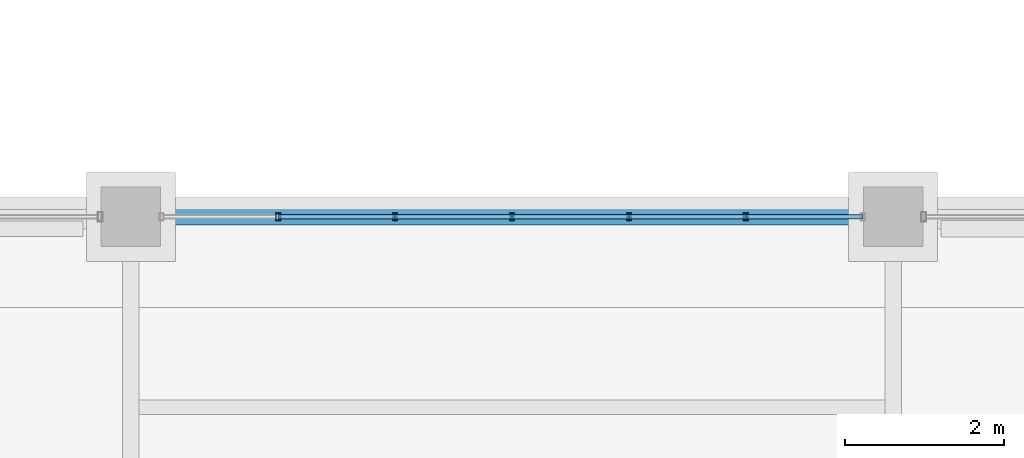
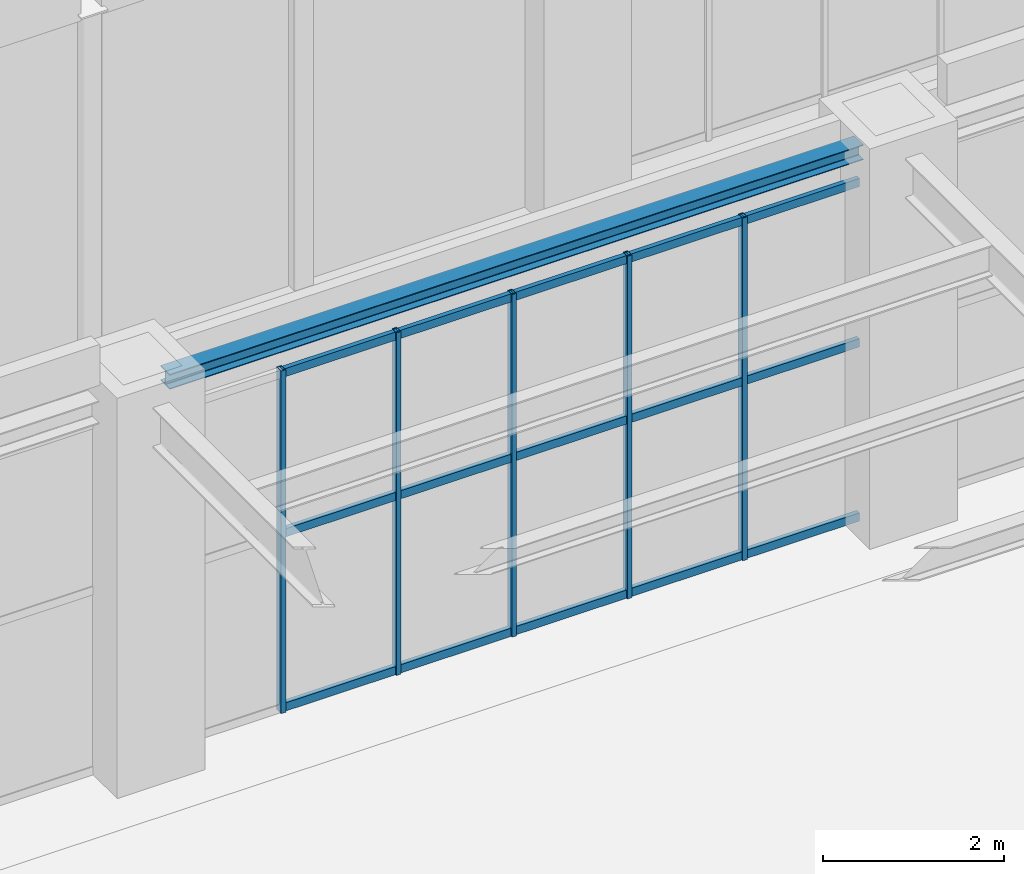
# One storey, part 92 of 164: 20 members, 1 beam, 1 element without a shape of its own.
"""IFC4 building model written with IfcOpenShell, lengths in metres."""

from ifc_helpers import new_model, si_unit, direction, frame, origin, origin_2d, place, context, subcontext, project, spatial, hollow_rectangle, i_section, extrude, material, material_profile, profile_set, type_object, element, aggregate, save


model = new_model("IFC4")

# Units and contexts
model_context = context("Model", 3, precision=1e-05, world=origin(), true_north=direction((0.0, 1.0)))
body_context = subcontext(model_context, "Body", "Model", "MODEL_VIEW")
ifc_project = project(units=[si_unit("LENGTHUNIT", "METRE"), si_unit("AREAUNIT", "SQUARE_METRE"), si_unit("VOLUMEUNIT", "CUBIC_METRE"), si_unit("PLANEANGLEUNIT", "RADIAN"), si_unit("MASSUNIT", "GRAM", prefix="KILO")], contexts=[model_context])

# Site, building, storey
site_placement = place(None, origin())
site = spatial("IfcSite", under=ifc_project, at=site_placement, CompositionType="ELEMENT")
building_placement = place(site_placement, origin())
building = spatial("IfcBuilding", under=site, at=building_placement, Name="Mavantir Sound Aquarium", CompositionType="ELEMENT")
storey_placement = place(building_placement, origin())
storey = spatial("IfcBuildingStorey", under=building, at=storey_placement, Name="L00", CompositionType="ELEMENT", Elevation=0.0)

# Beam
ifc_material_1 = material(Name="Structural Steel ASTM A992 Gr50", Category="steel")
ifc_material_profile_1 = material_profile(ifc_material_1, i_section(OverallWidth=0.202880859375, OverallDepth=0.202880859375, WebThickness=0.007080078125, FlangeThickness=0.010986328125, FilletRadius=0.010009765625, at=origin_2d()), Name="W200X46")
ifc_profile_set_1 = profile_set([ifc_material_profile_1], Name="Structural Steel ASTM A992 Gr50")
beam_type = type_object("IfcBeamType", Name="BM-W200X46-E", PredefinedType="LINTEL", material=ifc_profile_set_1)
beam_placement = place(storey_placement, frame((127.574951171875, 28.800048828125, 5.014404296875), z_axis=(1.0, 0.0, 0.0), x_axis=(0.0, 1.0, 0.0)))
element("IfcBeam", 1, at=beam_placement, inside=storey, type_object=beam_type, Name="L00 primary beam SL-20 1084", PredefinedType="LINTEL", context=body_context, shape_type="SweptSolid", body=[
    extrude(i_section(OverallWidth=0.202880859375, OverallDepth=0.202880859375, WebThickness=0.007080078125, FlangeThickness=0.010986328125, FilletRadius=0.010009765625, at=origin_2d()), origin(), (0.0, 0.0, 1.0), 8.85009765625),
])

# Curtain wall, members
ifc_material_2 = material(Name="Anodised Marine Aluminium and Low-E Glass", Category="aluminium")
curtain_wall_type = type_object("IfcCurtainWallType", Name="CW-T03", PredefinedType="USERDEFINED", material=ifc_material_2)
curtain_wall_placement = place(storey_placement, origin())
curtain_wall = element("IfcCurtainWall", 2, at=curtain_wall_placement, inside=storey, type_object=curtain_wall_type, Name="L00 unitised curtain wall CW-03 51", ObjectType="UNITISED GLAZING", PredefinedType="USERDEFINED")
ifc_material_3 = material(Name="Anodised Marine Aluminium 6063-T6", Category="aluminium")
ifc_material_profile_2 = material_profile(ifc_material_3, hollow_rectangle(XDim=0.06005859375, YDim=0.10009765625, WallThickness=0.00390625, at=origin_2d()), Name="ALU-MULLION-100X60")
ifc_profile_set_2 = profile_set([ifc_material_profile_2], Name="Anodised Marine Aluminium 6063-T6")
member_type_1 = type_object("IfcMemberType", Name="CW-MUL-100", PredefinedType="MULLION", material=ifc_profile_set_2)
member_1_placement = place(storey_placement, frame((134.944580078125, 28.800048828125, 0.0), z_axis=(0.0, 0.0, 1.0), x_axis=(1.0, 0.0, 0.0)))
member_1 = element("IfcMember", 3, at=member_1_placement, type_object=member_type_1, Name="CW-L00-051 vertical mullion 2", PredefinedType="MULLION", context=body_context, shape_type="SweptSolid", body=[
    extrude(hollow_rectangle(XDim=0.06005859375, YDim=0.10009765625, WallThickness=0.00390625, at=origin_2d()), origin(), (0.0, 0.0, 1.0), 4.62109375),
])
member_2_placement = place(storey_placement, frame((133.472412109375, 28.800048828125, 0.0), z_axis=(0.0, 0.0, 1.0), x_axis=(1.0, 0.0, 0.0)))
member_2 = element("IfcMember", 4, at=member_2_placement, type_object=member_type_1, Name="CW-L00-051 vertical mullion 3", PredefinedType="MULLION", context=body_context, shape_type="SweptSolid", body=[
    extrude(hollow_rectangle(XDim=0.06005859375, YDim=0.10009765625, WallThickness=0.00390625, at=origin_2d()), origin(), (0.0, 0.0, 1.0), 4.62109375),
])
member_3_placement = place(storey_placement, frame((132.0, 28.800048828125, 0.0), z_axis=(0.0, 0.0, 1.0), x_axis=(1.0, 0.0, 0.0)))
member_3 = element("IfcMember", 5, at=member_3_placement, type_object=member_type_1, Name="CW-L00-051 vertical mullion 4", PredefinedType="MULLION", context=body_context, shape_type="SweptSolid", body=[
    extrude(hollow_rectangle(XDim=0.06005859375, YDim=0.10009765625, WallThickness=0.00390625, at=origin_2d()), origin(), (0.0, 0.0, 1.0), 4.62109375),
])
member_4_placement = place(storey_placement, frame((130.527587890625, 28.800048828125, 0.0), z_axis=(0.0, 0.0, 1.0), x_axis=(1.0, 0.0, 0.0)))
member_4 = element("IfcMember", 6, at=member_4_placement, type_object=member_type_1, Name="CW-L00-051 vertical mullion 5", PredefinedType="MULLION", context=body_context, shape_type="SweptSolid", body=[
    extrude(hollow_rectangle(XDim=0.06005859375, YDim=0.10009765625, WallThickness=0.00390625, at=origin_2d()), origin(), (0.0, 0.0, 1.0), 4.62109375),
])
member_5_placement = place(storey_placement, frame((129.055419921875, 28.800048828125, 0.0), z_axis=(0.0, 0.0, 1.0), x_axis=(1.0, 0.0, 0.0)))
member_5 = element("IfcMember", 7, at=member_5_placement, type_object=member_type_1, Name="CW-L00-051 vertical mullion 6", PredefinedType="MULLION", context=body_context, shape_type="SweptSolid", body=[
    extrude(hollow_rectangle(XDim=0.06005859375, YDim=0.10009765625, WallThickness=0.00390625, at=origin_2d()), origin(), (0.0, 0.0, 1.0), 4.62109375),
])
ifc_material_profile_3 = material_profile(ifc_material_3, hollow_rectangle(XDim=0.06005859375, YDim=0.110107421875, WallThickness=0.00390625, at=origin_2d()), Name="ALU-TRANSOM-110X60")
ifc_profile_set_3 = profile_set([ifc_material_profile_3], Name="Anodised Marine Aluminium 6063-T6")
member_type_2 = type_object("IfcMemberType", Name="CW-TRN-110", PredefinedType="USERDEFINED", material=ifc_profile_set_3)
member_6_placement = place(storey_placement, frame((136.4169921875, 28.800048828125, 0.054931640625), z_axis=(-1.0, 0.0, 0.0), x_axis=(0.0, -1.0, 0.0)))
member_6 = element("IfcMember", 8, at=member_6_placement, type_object=member_type_2, Name="CW-L00-051 transom 1.1", ObjectType="TRANSOM", PredefinedType="USERDEFINED", context=body_context, shape_type="SweptSolid", body=[
    extrude(hollow_rectangle(XDim=0.06005859375, YDim=0.110107421875, WallThickness=0.00390625, at=origin_2d()), origin(), (0.0, 0.0, 1.0), 1.472412109375),
])
member_7_placement = place(storey_placement, frame((136.4169921875, 28.800048828125, 2.40283203125), z_axis=(-1.0, 0.0, 0.0), x_axis=(0.0, -1.0, 0.0)))
member_7 = element("IfcMember", 9, at=member_7_placement, type_object=member_type_2, Name="CW-L00-051 transom 1.2", ObjectType="TRANSOM", PredefinedType="USERDEFINED", context=body_context, shape_type="SweptSolid", body=[
    extrude(hollow_rectangle(XDim=0.06005859375, YDim=0.110107421875, WallThickness=0.00390625, at=origin_2d()), origin(), (0.0, 0.0, 1.0), 1.472412109375),
])
member_8_placement = place(storey_placement, frame((136.4169921875, 28.800048828125, 4.56591796875), z_axis=(-1.0, 0.0, 0.0), x_axis=(0.0, -1.0, 0.0)))
member_8 = element("IfcMember", 10, at=member_8_placement, type_object=member_type_2, Name="CW-L00-051 transom 1.3", ObjectType="TRANSOM", PredefinedType="USERDEFINED", context=body_context, shape_type="SweptSolid", body=[
    extrude(hollow_rectangle(XDim=0.06005859375, YDim=0.110107421875, WallThickness=0.00390625, at=origin_2d()), origin(), (0.0, 0.0, 1.0), 1.472412109375),
])
member_9_placement = place(storey_placement, frame((134.944580078125, 28.800048828125, 0.054931640625), z_axis=(-1.0, 0.0, 0.0), x_axis=(0.0, -1.0, 0.0)))
member_9 = element("IfcMember", 11, at=member_9_placement, type_object=member_type_2, Name="CW-L00-051 transom 2.1", ObjectType="TRANSOM", PredefinedType="USERDEFINED", context=body_context, shape_type="SweptSolid", body=[
    extrude(hollow_rectangle(XDim=0.06005859375, YDim=0.110107421875, WallThickness=0.00390625, at=origin_2d()), origin(), (0.0, 0.0, 1.0), 1.47216796875),
])
member_10_placement = place(storey_placement, frame((134.944580078125, 28.800048828125, 2.40283203125), z_axis=(-1.0, 0.0, 0.0), x_axis=(0.0, -1.0, 0.0)))
member_10 = element("IfcMember", 12, at=member_10_placement, type_object=member_type_2, Name="CW-L00-051 transom 2.2", ObjectType="TRANSOM", PredefinedType="USERDEFINED", context=body_context, shape_type="SweptSolid", body=[
    extrude(hollow_rectangle(XDim=0.06005859375, YDim=0.110107421875, WallThickness=0.00390625, at=origin_2d()), origin(), (0.0, 0.0, 1.0), 1.47216796875),
])
member_11_placement = place(storey_placement, frame((134.944580078125, 28.800048828125, 4.56591796875), z_axis=(-1.0, 0.0, 0.0), x_axis=(0.0, -1.0, 0.0)))
member_11 = element("IfcMember", 13, at=member_11_placement, type_object=member_type_2, Name="CW-L00-051 transom 2.3", ObjectType="TRANSOM", PredefinedType="USERDEFINED", context=body_context, shape_type="SweptSolid", body=[
    extrude(hollow_rectangle(XDim=0.06005859375, YDim=0.110107421875, WallThickness=0.00390625, at=origin_2d()), origin(), (0.0, 0.0, 1.0), 1.47216796875),
])
member_12_placement = place(storey_placement, frame((133.472412109375, 28.800048828125, 0.054931640625), z_axis=(-1.0, 0.0, 0.0), x_axis=(0.0, -1.0, 0.0)))
member_12 = element("IfcMember", 14, at=member_12_placement, type_object=member_type_2, Name="CW-L00-051 transom 3.1", ObjectType="TRANSOM", PredefinedType="USERDEFINED", context=body_context, shape_type="SweptSolid", body=[
    extrude(hollow_rectangle(XDim=0.06005859375, YDim=0.110107421875, WallThickness=0.00390625, at=origin_2d()), origin(), (0.0, 0.0, 1.0), 1.472412109375),
])
member_13_placement = place(storey_placement, frame((133.472412109375, 28.800048828125, 2.40283203125), z_axis=(-1.0, 0.0, 0.0), x_axis=(0.0, -1.0, 0.0)))
member_13 = element("IfcMember", 15, at=member_13_placement, type_object=member_type_2, Name="CW-L00-051 transom 3.2", ObjectType="TRANSOM", PredefinedType="USERDEFINED", context=body_context, shape_type="SweptSolid", body=[
    extrude(hollow_rectangle(XDim=0.06005859375, YDim=0.110107421875, WallThickness=0.00390625, at=origin_2d()), origin(), (0.0, 0.0, 1.0), 1.472412109375),
])
member_14_placement = place(storey_placement, frame((133.472412109375, 28.800048828125, 4.56591796875), z_axis=(-1.0, 0.0, 0.0), x_axis=(0.0, -1.0, 0.0)))
member_14 = element("IfcMember", 16, at=member_14_placement, type_object=member_type_2, Name="CW-L00-051 transom 3.3", ObjectType="TRANSOM", PredefinedType="USERDEFINED", context=body_context, shape_type="SweptSolid", body=[
    extrude(hollow_rectangle(XDim=0.06005859375, YDim=0.110107421875, WallThickness=0.00390625, at=origin_2d()), origin(), (0.0, 0.0, 1.0), 1.472412109375),
])
member_15_placement = place(storey_placement, frame((132.0, 28.800048828125, 0.054931640625), z_axis=(-1.0, 0.0, 0.0), x_axis=(0.0, -1.0, 0.0)))
member_15 = element("IfcMember", 17, at=member_15_placement, type_object=member_type_2, Name="CW-L00-051 transom 4.1", ObjectType="TRANSOM", PredefinedType="USERDEFINED", context=body_context, shape_type="SweptSolid", body=[
    extrude(hollow_rectangle(XDim=0.06005859375, YDim=0.110107421875, WallThickness=0.00390625, at=origin_2d()), origin(), (0.0, 0.0, 1.0), 1.472412109375),
])
member_16_placement = place(storey_placement, frame((132.0, 28.800048828125, 2.40283203125), z_axis=(-1.0, 0.0, 0.0), x_axis=(0.0, -1.0, 0.0)))
member_16 = element("IfcMember", 18, at=member_16_placement, type_object=member_type_2, Name="CW-L00-051 transom 4.2", ObjectType="TRANSOM", PredefinedType="USERDEFINED", context=body_context, shape_type="SweptSolid", body=[
    extrude(hollow_rectangle(XDim=0.06005859375, YDim=0.110107421875, WallThickness=0.00390625, at=origin_2d()), origin(), (0.0, 0.0, 1.0), 1.472412109375),
])
member_17_placement = place(storey_placement, frame((132.0, 28.800048828125, 4.56591796875), z_axis=(-1.0, 0.0, 0.0), x_axis=(0.0, -1.0, 0.0)))
member_17 = element("IfcMember", 19, at=member_17_placement, type_object=member_type_2, Name="CW-L00-051 transom 4.3", ObjectType="TRANSOM", PredefinedType="USERDEFINED", context=body_context, shape_type="SweptSolid", body=[
    extrude(hollow_rectangle(XDim=0.06005859375, YDim=0.110107421875, WallThickness=0.00390625, at=origin_2d()), origin(), (0.0, 0.0, 1.0), 1.472412109375),
])
member_18_placement = place(storey_placement, frame((130.527587890625, 28.800048828125, 0.054931640625), z_axis=(-1.0, 0.0, 0.0), x_axis=(0.0, -1.0, 0.0)))
member_18 = element("IfcMember", 20, at=member_18_placement, type_object=member_type_2, Name="CW-L00-051 transom 5.1", ObjectType="TRANSOM", PredefinedType="USERDEFINED", context=body_context, shape_type="SweptSolid", body=[
    extrude(hollow_rectangle(XDim=0.06005859375, YDim=0.110107421875, WallThickness=0.00390625, at=origin_2d()), origin(), (0.0, 0.0, 1.0), 1.47216796875),
])
member_19_placement = place(storey_placement, frame((130.527587890625, 28.800048828125, 2.40283203125), z_axis=(-1.0, 0.0, 0.0), x_axis=(0.0, -1.0, 0.0)))
member_19 = element("IfcMember", 21, at=member_19_placement, type_object=member_type_2, Name="CW-L00-051 transom 5.2", ObjectType="TRANSOM", PredefinedType="USERDEFINED", context=body_context, shape_type="SweptSolid", body=[
    extrude(hollow_rectangle(XDim=0.06005859375, YDim=0.110107421875, WallThickness=0.00390625, at=origin_2d()), origin(), (0.0, 0.0, 1.0), 1.47216796875),
])
member_20_placement = place(storey_placement, frame((130.527587890625, 28.800048828125, 4.56591796875), z_axis=(-1.0, 0.0, 0.0), x_axis=(0.0, -1.0, 0.0)))
member_20 = element("IfcMember", 22, at=member_20_placement, type_object=member_type_2, Name="CW-L00-051 transom 5.3", ObjectType="TRANSOM", PredefinedType="USERDEFINED", context=body_context, shape_type="SweptSolid", body=[
    extrude(hollow_rectangle(XDim=0.06005859375, YDim=0.110107421875, WallThickness=0.00390625, at=origin_2d()), origin(), (0.0, 0.0, 1.0), 1.47216796875),
])
aggregate(curtain_wall, [member_1, member_2, member_3, member_4, member_5, member_6, member_7, member_8, member_9, member_10, member_11, member_12, member_13, member_14, member_15, member_16, member_17, member_18, member_19, member_20])

save(model, "model.ifc")
